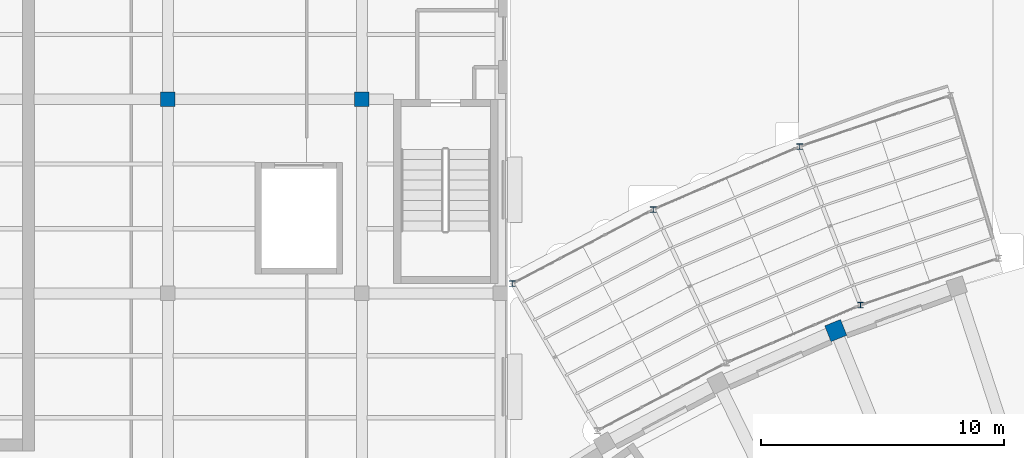
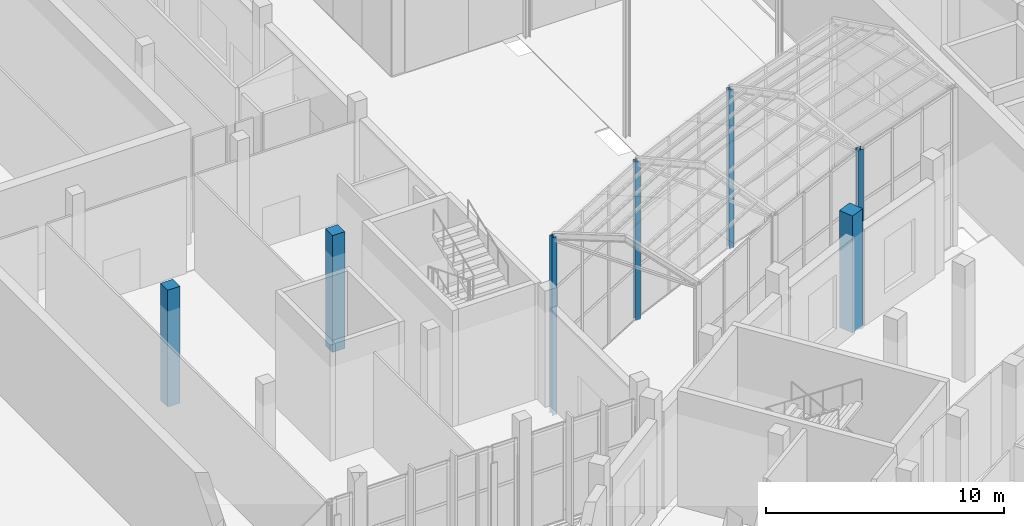
# One storey, part 8 of 155: 7 columns.
"""IFC4 building model written with IfcOpenShell, lengths in metres."""

from ifc_helpers import new_model, si_unit, direction, frame, origin, origin_2d, place, context, subcontext, project, spatial, rectangle, i_section, extrude, material, material_profile, profile_set, type_object, element, save


model = new_model("IFC4")

# Units and contexts
model_context = context("Model", 3, precision=1e-05, world=origin(), true_north=direction((0.0, 1.0)))
body_context = subcontext(model_context, "Body", "Model", "MODEL_VIEW")
ifc_project = project(units=[si_unit("LENGTHUNIT", "METRE"), si_unit("AREAUNIT", "SQUARE_METRE"), si_unit("VOLUMEUNIT", "CUBIC_METRE"), si_unit("PLANEANGLEUNIT", "RADIAN"), si_unit("MASSUNIT", "GRAM", prefix="KILO")], contexts=[model_context])

# Site, building, storey
site_placement = place(None, origin())
site = spatial("IfcSite", under=ifc_project, at=site_placement, CompositionType="ELEMENT")
building_placement = place(site_placement, origin())
building = spatial("IfcBuilding", under=site, at=building_placement, Name="Lunette Opera House", CompositionType="ELEMENT")
storey_placement = place(building_placement, origin())
storey = spatial("IfcBuildingStorey", under=building, at=storey_placement, Name="L00", CompositionType="ELEMENT", Elevation=0.0)

# Columns
ifc_material_1 = material(Name="Concrete C35/45", Category="concrete")
ifc_material_profile_1 = material_profile(ifc_material_1, rectangle(XDim=0.60009765625, YDim=0.60009765625, at=origin_2d()), Name="RC COLUMN 600X600")
ifc_profile_set_1 = profile_set([ifc_material_profile_1], Name="Concrete C35/45")
column_type_1 = type_object("IfcColumnType", Name="RC COLUMN 600X600", PredefinedType="COLUMN", material=ifc_profile_set_1)
for number, where, z_axis, x_axis, name in (
    (1, (40.0, 80.0, 0.0), (0.0, 0.0, 1.0), (1.0, 0.0, 0.0), "col-RW-L00-C42"),
    (2, (48.0, 80.0, 0.0), (0.0, 0.0, 1.0), (1.0, 0.0, 0.0), "col-RW-L00-C52"),
):
    element("IfcColumn", number, at=place(storey_placement, frame(where, z_axis=z_axis, x_axis=x_axis)), inside=storey, type_object=column_type_1, Name=name, PredefinedType="COLUMN", context=body_context, shape_type="SweptSolid", body=[
        extrude(rectangle(XDim=0.60009765625, YDim=0.60009765625, at=origin_2d()), origin(), (0.0, 0.0, 1.0), 6.0),
    ])
ifc_material_2 = material(Name="Concrete C35/45", Category="concrete")
ifc_material_profile_2 = material_profile(ifc_material_2, rectangle(XDim=0.699951171875, YDim=0.699951171875, at=origin_2d()), Name="RC COLUMN 700X700")
ifc_profile_set_2 = profile_set([ifc_material_profile_2], Name="Concrete C35/45")
column_type_2 = type_object("IfcColumnType", Name="RC COLUMN 700X700", PredefinedType="COLUMN", material=ifc_profile_set_2)
column_1_placement = place(storey_placement, frame((67.530029296875, 70.466064453125, 0.0), z_axis=(0.0, 0.0, 1.0), x_axis=(0.927183854567, 0.374606593416, 0.0)))
element("IfcColumn", 3, at=column_1_placement, inside=storey, type_object=column_type_2, Name="col-FC-L00-AR-C-RL-08", PredefinedType="COLUMN", context=body_context, shape_type="SweptSolid", body=[
    extrude(rectangle(XDim=0.699951171875, YDim=0.699951171875, at=origin_2d()), origin(), (0.0, 0.0, 1.0), 6.0),
])
ifc_material_3 = material(Name="Steel S355", Category="steel")
ifc_material_profile_3 = material_profile(ifc_material_3, i_section(OverallWidth=0.239990234375, OverallDepth=0.22998046875, WebThickness=0.007568359375, FlangeThickness=0.011962890625, FilletRadius=0.02099609375, at=origin_2d()), Name="HEA 240")
ifc_profile_set_3 = profile_set([ifc_material_profile_3], Name="Steel S355")
column_type_3 = type_object("IfcColumnType", Name="STEEL COLUMN HEA 240", PredefinedType="COLUMN", material=ifc_profile_set_3)
column_2_placement = place(storey_placement, frame((54.199951171875, 72.39990234375, -0.97998046875), z_axis=(0.0, 0.0, 1.0), x_axis=(1.0, 0.0, 0.0)))
element("IfcColumn", 4, at=column_2_placement, inside=storey, type_object=column_type_3, Name="col-PP-L00-PC-WO01", PredefinedType="COLUMN", context=body_context, shape_type="SweptSolid", body=[
    extrude(i_section(OverallWidth=0.239990234375, OverallDepth=0.22998046875, WebThickness=0.007568359375, FlangeThickness=0.011962890625, FilletRadius=0.02099609375, at=origin_2d()), origin(), (0.0, 0.0, 1.0), 9.1298828125),
])
column_3_placement = place(storey_placement, frame((60.009033203125, 75.4560546875, 0.0), z_axis=(0.0, 0.0, 1.0), x_axis=(1.0, 0.0, 0.0)))
element("IfcColumn", 5, at=column_3_placement, inside=storey, type_object=column_type_3, Name="col-PP-L00-PC-WO02", PredefinedType="COLUMN", context=body_context, shape_type="SweptSolid", body=[
    extrude(i_section(OverallWidth=0.239990234375, OverallDepth=0.22998046875, WebThickness=0.007568359375, FlangeThickness=0.011962890625, FilletRadius=0.02099609375, at=origin_2d()), origin(), (0.0, 0.0, 1.0), 8.14990234375),
])
column_4_placement = place(storey_placement, frame((68.549072265625, 71.511962890625, -1.050048828125), z_axis=(0.0, 0.0, 1.0), x_axis=(1.0, 0.0, 0.0)))
element("IfcColumn", 6, at=column_4_placement, inside=storey, type_object=column_type_3, Name="col-PP-L00-PC-WI03", PredefinedType="COLUMN", context=body_context, shape_type="SweptSolid", body=[
    extrude(i_section(OverallWidth=0.239990234375, OverallDepth=0.22998046875, WebThickness=0.007568359375, FlangeThickness=0.011962890625, FilletRadius=0.02099609375, at=origin_2d()), origin(), (0.0, 0.0, 1.0), 9.199951171875),
])
column_5_placement = place(storey_placement, frame((66.0400390625, 78.047119140625, 0.0), z_axis=(0.0, 0.0, 1.0), x_axis=(1.0, 0.0, 0.0)))
element("IfcColumn", 7, at=column_5_placement, inside=storey, type_object=column_type_3, Name="col-PP-L00-PC-WO03", PredefinedType="COLUMN", context=body_context, shape_type="SweptSolid", body=[
    extrude(i_section(OverallWidth=0.239990234375, OverallDepth=0.22998046875, WebThickness=0.007568359375, FlangeThickness=0.011962890625, FilletRadius=0.02099609375, at=origin_2d()), origin(), (0.0, 0.0, 1.0), 8.14990234375),
])

save(model, "model.ifc")
